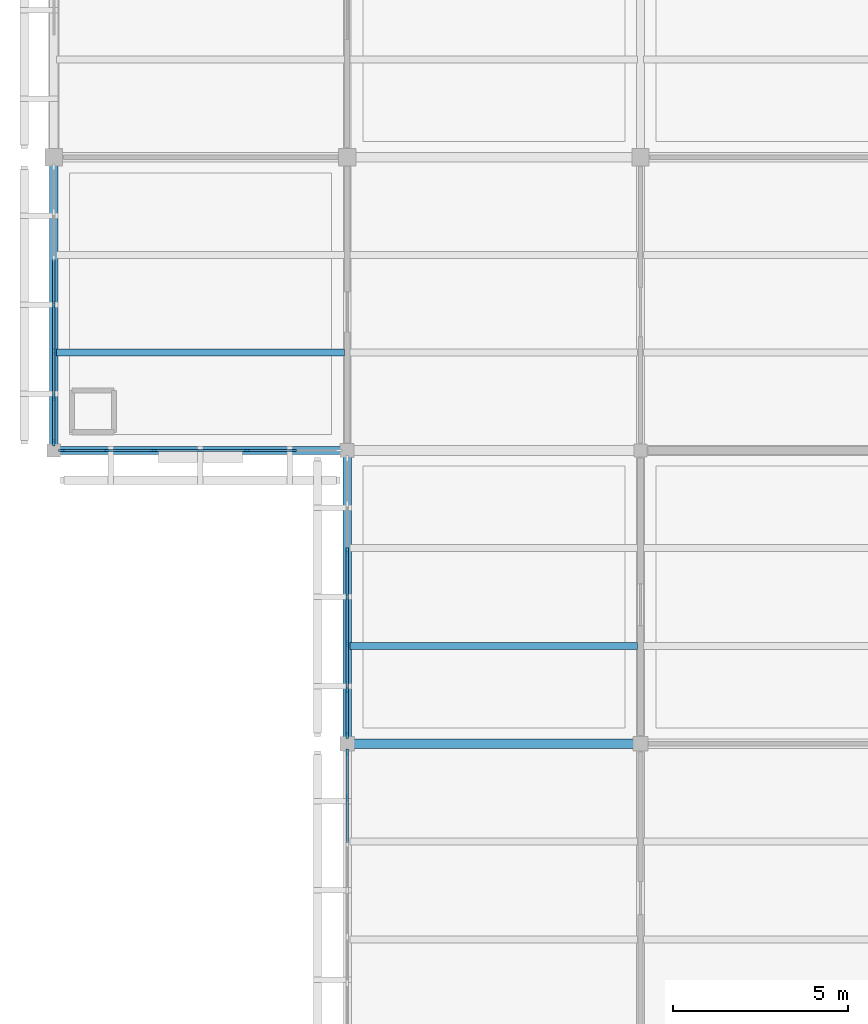
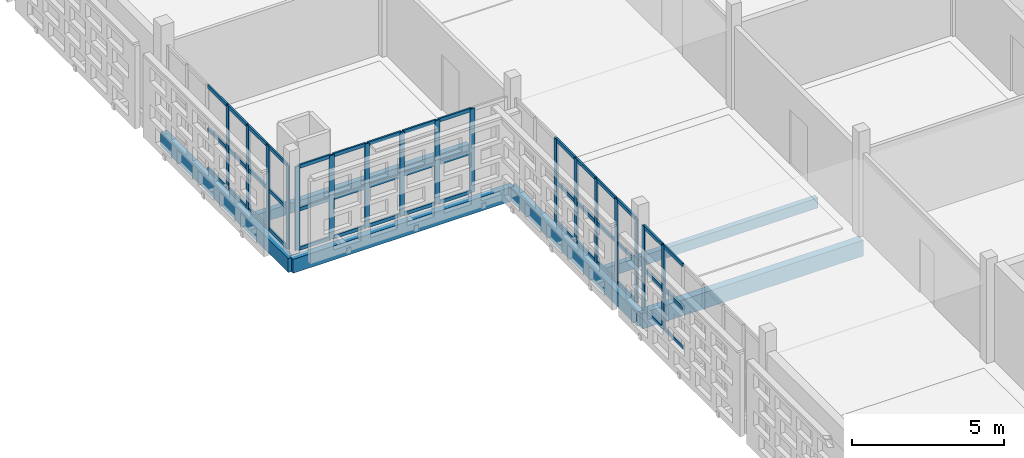
# One storey, part 23 of 166: 62 members, 6 beams, 4 elements without a shape of their own.
"""IFC4 building model written with IfcOpenShell, lengths in metres."""

from ifc_helpers import new_model, si_unit, direction, frame, origin, origin_2d, place, context, subcontext, project, spatial, rectangle, extrude, material, layer, layer_set, material_profile, profile_set, type_object, element, aggregate, save


model = new_model("IFC4")

# Units and contexts
model_context = context("Model", 3, precision=1e-05, world=origin(), true_north=direction((0.0, 1.0)))
body_context = subcontext(model_context, "Body", "Model", "MODEL_VIEW")
ifc_project = project(units=[si_unit("LENGTHUNIT", "METRE"), si_unit("AREAUNIT", "SQUARE_METRE"), si_unit("VOLUMEUNIT", "CUBIC_METRE"), si_unit("PLANEANGLEUNIT", "RADIAN"), si_unit("MASSUNIT", "GRAM", prefix="KILO")], contexts=[model_context])

# Site, building, storey
site_placement = place(None, origin())
site = spatial("IfcSite", under=ifc_project, at=site_placement, CompositionType="ELEMENT")
building_placement = place(site_placement, origin())
building = spatial("IfcBuilding", under=site, at=building_placement, Name="Varnapada Polytechnic", CompositionType="ELEMENT")
storey_placement = place(building_placement, frame((0.0, 0.0, 9.60009765625)))
storey = spatial("IfcBuildingStorey", under=building, at=storey_placement, Name="L02", CompositionType="ELEMENT", Elevation=9.60009765625)

# Beams
ifc_material_1 = material(Name="Glulam GL32h", Category="wood")
ifc_material_profile_1 = material_profile(ifc_material_1, rectangle(XDim=0.280029296875, YDim=0.639892578125, at=origin_2d()), Name="GL 280x640")
ifc_profile_set_1 = profile_set([ifc_material_profile_1], Name="Glulam GL32h")
beam_type_1 = type_object("IfcBeamType", Name="Laboratory primary glulam girder GG-02 (GL 280x640)", PredefinedType="BEAM", material=ifc_profile_set_1)
beam_placement = place(storey_placement, frame((8.39990234375, 33.60009765625, -0.56005859375), z_axis=(1.0, 0.0, 0.0), x_axis=(0.0, 1.0, 0.0)))
element("IfcBeam", 1, at=beam_placement, inside=storey, type_object=beam_type_1, Name="L02 beam X 2-3 at Y5", PredefinedType="BEAM", context=body_context, shape_type="SweptSolid", body=[
    extrude(rectangle(XDim=0.280029296875, YDim=0.639892578125, at=origin_2d()), origin(), (0.0, 0.0, 1.0), 8.400146484375),
])
ifc_material_profile_2 = material_profile(ifc_material_1, rectangle(XDim=0.199951171875, YDim=0.39990234375, at=origin_2d()), Name="GL 200x400")
ifc_profile_set_2 = profile_set([ifc_material_profile_2], Name="Glulam GL32h")
beam_type_2 = type_object("IfcBeamType", Name="Library/laboratory glulam floor joist GJ-01 (GL 200x400)", PredefinedType="JOIST", material=ifc_profile_set_2)
for number, where, z_axis, x_axis, name in (
    (2, (0.080078125, 44.800048828125, -0.440185546875), (1.0, 0.0, 0.0), (0.0, 1.0, 0.0), "L02 floor joist 1/6.1"),
    (3, (8.47998046875, 36.39990234375, -0.440185546875), (1.0, 0.0, 0.0), (0.0, 1.0, 0.0), "L02 floor joist 2/5.1"),
):
    element("IfcBeam", number, at=place(storey_placement, frame(where, z_axis=z_axis, x_axis=x_axis)), inside=storey, type_object=beam_type_2, Name=name, PredefinedType="JOIST", context=body_context, shape_type="SweptSolid", body=[
        extrude(rectangle(XDim=0.199951171875, YDim=0.39990234375, at=origin_2d()), origin(), (0.0, 0.0, 1.0), 8.239990234375),
    ])

# Curtain wall, members
ifc_material_2 = material(Name="Double low-E laminated glass", Category="glass")
ifc_layer = layer(ifc_material_2, 0.179931640625)
ifc_layer_set = layer_set([ifc_layer], Name="Double low-E laminated glass")
curtain_wall_type = type_object("IfcCurtainWallType", Name="Curtain Wall CW-03", PredefinedType="NOTDEFINED", material=ifc_layer_set)
curtain_wall_1_placement = place(storey_placement, origin())
curtain_wall_1 = element("IfcCurtainWall", 4, at=curtain_wall_1_placement, inside=storey, type_object=curtain_wall_type, Name="L02 unitised curtain wall CW-03 (128)", PredefinedType="NOTDEFINED")
ifc_material_3 = material(Name="Anodised aluminium", Category="aluminium")
ifc_material_profile_3 = material_profile(ifc_material_3, rectangle(XDim=0.06494140625, YDim=0.179931640625, at=origin_2d()), Name="ALU M65x180")
ifc_profile_set_3 = profile_set([ifc_material_profile_3], Name="Anodised aluminium")
member_type_1 = type_object("IfcMemberType", Name="Mullion M-02", PredefinedType="MULLION", material=ifc_profile_set_3)
member_1_placement = place(storey_placement, frame((6.864990234375, 42.0, 0.0), z_axis=(0.0, 0.0, 1.0), x_axis=(0.0, -1.0, 0.0)))
member_1 = element("IfcMember", 5, at=member_1_placement, type_object=member_type_1, Name="CW-03 mullion 2", PredefinedType="MULLION", context=body_context, shape_type="SweptSolid", body=[
    extrude(rectangle(XDim=0.06494140625, YDim=0.179931640625, at=origin_2d()), origin(), (0.0, 0.0, 1.0), 3.35986328125),
])
member_2_placement = place(storey_placement, frame((5.530029296875, 42.0, 0.0), z_axis=(0.0, 0.0, 1.0), x_axis=(0.0, -1.0, 0.0)))
member_2 = element("IfcMember", 6, at=member_2_placement, type_object=member_type_1, Name="CW-03 mullion 3", PredefinedType="MULLION", context=body_context, shape_type="SweptSolid", body=[
    extrude(rectangle(XDim=0.06494140625, YDim=0.179931640625, at=origin_2d()), origin(), (0.0, 0.0, 1.0), 3.35986328125),
])
member_3_placement = place(storey_placement, frame((4.195068359375, 42.0, 0.0), z_axis=(0.0, 0.0, 1.0), x_axis=(0.0, -1.0, 0.0)))
member_3 = element("IfcMember", 7, at=member_3_placement, type_object=member_type_1, Name="CW-03 mullion 4", PredefinedType="MULLION", context=body_context, shape_type="SweptSolid", body=[
    extrude(rectangle(XDim=0.06494140625, YDim=0.179931640625, at=origin_2d()), origin(), (0.0, 0.0, 1.0), 3.35986328125),
])
member_4_placement = place(storey_placement, frame((2.860107421875, 42.0, 0.0), z_axis=(0.0, 0.0, 1.0), x_axis=(0.0, -1.0, 0.0)))
member_4 = element("IfcMember", 8, at=member_4_placement, type_object=member_type_1, Name="CW-03 mullion 5", PredefinedType="MULLION", context=body_context, shape_type="SweptSolid", body=[
    extrude(rectangle(XDim=0.06494140625, YDim=0.179931640625, at=origin_2d()), origin(), (0.0, 0.0, 1.0), 3.35986328125),
])
member_5_placement = place(storey_placement, frame((1.52490234375, 42.0, 0.0), z_axis=(0.0, 0.0, 1.0), x_axis=(0.0, -1.0, 0.0)))
member_5 = element("IfcMember", 9, at=member_5_placement, type_object=member_type_1, Name="CW-03 mullion 6", PredefinedType="MULLION", context=body_context, shape_type="SweptSolid", body=[
    extrude(rectangle(XDim=0.06494140625, YDim=0.179931640625, at=origin_2d()), origin(), (0.0, 0.0, 1.0), 3.35986328125),
])
member_6_placement = place(storey_placement, frame((0.222412109375, 42.0, 0.0), z_axis=(0.0, 0.0, 1.0), x_axis=(0.0, -1.0, 0.0)))
member_6 = element("IfcMember", 10, at=member_6_placement, type_object=member_type_1, Name="CW-03 mullion 7", PredefinedType="MULLION", context=body_context, shape_type="SweptSolid", body=[
    extrude(rectangle(XDim=0.06494140625, YDim=0.179931640625, at=origin_2d()), origin(), (0.0, 0.0, 1.0), 3.35986328125),
])

curtain_wall_2_placement = place(storey_placement, origin())
curtain_wall_2 = element("IfcCurtainWall", 11, at=curtain_wall_2_placement, inside=storey, type_object=curtain_wall_type, Name="L02 unitised curtain wall CW-03 (129)", PredefinedType="NOTDEFINED")
member_7_placement = place(storey_placement, frame((0.0, 42.222412109375, 0.0), z_axis=(0.0, 0.0, 1.0), x_axis=(-1.0, 0.0, 0.0)))
member_7 = element("IfcMember", 12, at=member_7_placement, type_object=member_type_1, Name="CW-03 mullion 1", PredefinedType="MULLION", context=body_context, shape_type="SweptSolid", body=[
    extrude(rectangle(XDim=0.06494140625, YDim=0.179931640625, at=origin_2d()), origin(), (0.0, 0.0, 1.0), 3.35986328125),
])
member_8_placement = place(storey_placement, frame((0.0, 43.5166015625, 0.0), z_axis=(0.0, 0.0, 1.0), x_axis=(-1.0, 0.0, 0.0)))
member_8 = element("IfcMember", 13, at=member_8_placement, type_object=member_type_1, Name="CW-03 mullion 2", PredefinedType="MULLION", context=body_context, shape_type="SweptSolid", body=[
    extrude(rectangle(XDim=0.06494140625, YDim=0.179931640625, at=origin_2d()), origin(), (0.0, 0.0, 1.0), 3.35986328125),
])
member_9_placement = place(storey_placement, frame((0.0, 44.84326171875, 0.0), z_axis=(0.0, 0.0, 1.0), x_axis=(-1.0, 0.0, 0.0)))
member_9 = element("IfcMember", 14, at=member_9_placement, type_object=member_type_1, Name="CW-03 mullion 3", PredefinedType="MULLION", context=body_context, shape_type="SweptSolid", body=[
    extrude(rectangle(XDim=0.06494140625, YDim=0.179931640625, at=origin_2d()), origin(), (0.0, 0.0, 1.0), 3.35986328125),
])
member_10_placement = place(storey_placement, frame((0.0, 46.169921875, 0.0), z_axis=(0.0, 0.0, 1.0), x_axis=(-1.0, 0.0, 0.0)))
member_10 = element("IfcMember", 15, at=member_10_placement, type_object=member_type_1, Name="CW-03 mullion 4", PredefinedType="MULLION", context=body_context, shape_type="SweptSolid", body=[
    extrude(rectangle(XDim=0.06494140625, YDim=0.179931640625, at=origin_2d()), origin(), (0.0, 0.0, 1.0), 3.35986328125),
])

curtain_wall_3_placement = place(storey_placement, origin())
curtain_wall_3 = element("IfcCurtainWall", 16, at=curtain_wall_3_placement, inside=storey, type_object=curtain_wall_type, Name="L02 unitised curtain wall CW-03 (139)", PredefinedType="NOTDEFINED")
member_11_placement = place(storey_placement, frame((8.39990234375, 32.06005859375, 0.0), z_axis=(0.0, 0.0, 1.0), x_axis=(-1.0, 0.0, 0.0)))
member_11 = element("IfcMember", 17, at=member_11_placement, type_object=member_type_1, Name="CW-03 mullion 6", PredefinedType="MULLION", context=body_context, shape_type="SweptSolid", body=[
    extrude(rectangle(XDim=0.06494140625, YDim=0.179931640625, at=origin_2d()), origin(), (0.0, 0.0, 1.0), 3.35986328125),
])
member_12_placement = place(storey_placement, frame((8.39990234375, 33.357421875, 0.0), z_axis=(0.0, 0.0, 1.0), x_axis=(-1.0, 0.0, 0.0)))
member_12 = element("IfcMember", 18, at=member_12_placement, type_object=member_type_1, Name="CW-03 mullion 7", PredefinedType="MULLION", context=body_context, shape_type="SweptSolid", body=[
    extrude(rectangle(XDim=0.06494140625, YDim=0.179931640625, at=origin_2d()), origin(), (0.0, 0.0, 1.0), 3.35986328125),
])

curtain_wall_4_placement = place(storey_placement, origin())
curtain_wall_4 = element("IfcCurtainWall", 19, at=curtain_wall_4_placement, inside=storey, type_object=curtain_wall_type, Name="L02 unitised curtain wall CW-03 (140)", PredefinedType="NOTDEFINED")
member_13_placement = place(storey_placement, frame((8.39990234375, 33.842529296875, 0.0), z_axis=(0.0, 0.0, 1.0), x_axis=(-1.0, 0.0, 0.0)))
member_13 = element("IfcMember", 20, at=member_13_placement, type_object=member_type_1, Name="CW-03 mullion 1", PredefinedType="MULLION", context=body_context, shape_type="SweptSolid", body=[
    extrude(rectangle(XDim=0.06494140625, YDim=0.179931640625, at=origin_2d()), origin(), (0.0, 0.0, 1.0), 3.35986328125),
])
member_14_placement = place(storey_placement, frame((8.39990234375, 35.1416015625, 0.0), z_axis=(0.0, 0.0, 1.0), x_axis=(-1.0, 0.0, 0.0)))
member_14 = element("IfcMember", 21, at=member_14_placement, type_object=member_type_1, Name="CW-03 mullion 2", PredefinedType="MULLION", context=body_context, shape_type="SweptSolid", body=[
    extrude(rectangle(XDim=0.06494140625, YDim=0.179931640625, at=origin_2d()), origin(), (0.0, 0.0, 1.0), 3.35986328125),
])
member_15_placement = place(storey_placement, frame((8.39990234375, 36.473388671875, 0.0), z_axis=(0.0, 0.0, 1.0), x_axis=(-1.0, 0.0, 0.0)))
member_15 = element("IfcMember", 22, at=member_15_placement, type_object=member_type_1, Name="CW-03 mullion 3", PredefinedType="MULLION", context=body_context, shape_type="SweptSolid", body=[
    extrude(rectangle(XDim=0.06494140625, YDim=0.179931640625, at=origin_2d()), origin(), (0.0, 0.0, 1.0), 3.35986328125),
])
member_16_placement = place(storey_placement, frame((8.39990234375, 37.804931640625, 0.0), z_axis=(0.0, 0.0, 1.0), x_axis=(-1.0, 0.0, 0.0)))
member_16 = element("IfcMember", 23, at=member_16_placement, type_object=member_type_1, Name="CW-03 mullion 4", PredefinedType="MULLION", context=body_context, shape_type="SweptSolid", body=[
    extrude(rectangle(XDim=0.06494140625, YDim=0.179931640625, at=origin_2d()), origin(), (0.0, 0.0, 1.0), 3.35986328125),
])
member_17_placement = place(storey_placement, frame((8.39990234375, 39.13671875, 0.0), z_axis=(0.0, 0.0, 1.0), x_axis=(-1.0, 0.0, 0.0)))
member_17 = element("IfcMember", 24, at=member_17_placement, type_object=member_type_1, Name="CW-03 mullion 5", PredefinedType="MULLION", context=body_context, shape_type="SweptSolid", body=[
    extrude(rectangle(XDim=0.06494140625, YDim=0.179931640625, at=origin_2d()), origin(), (0.0, 0.0, 1.0), 3.35986328125),
])

# Beams
ifc_material_profile_4 = material_profile(ifc_material_1, rectangle(XDim=0.239990234375, YDim=0.56005859375, at=origin_2d()), Name="GL 240x560")
ifc_profile_set_4 = profile_set([ifc_material_profile_4], Name="Glulam GL32h")
beam_type_3 = type_object("IfcBeamType", Name="Perimeter glulam spandrel beam SP-02 (GL 240x560)", PredefinedType="SPANDREL", material=ifc_profile_set_4)
for number, where, z_axis, x_axis, name in (
    (25, (0.0, 42.0, -0.52001953125), (1.0, 0.0, 0.0), (0.0, 1.0, 0.0), "L02 beam X 1-2 at Y6"),
    (26, (0.0, 42.0, -0.52001953125), (0.0, 1.0, 0.0), (-1.0, 0.0, 0.0), "L02 beam Y 6-7 at X1"),
    (27, (8.39990234375, 33.60009765625, -0.52001953125), (0.0, 1.0, 0.0), (-1.0, 0.0, 0.0), "L02 beam Y 5-6 at X2"),
):
    element("IfcBeam", number, at=place(storey_placement, frame(where, z_axis=z_axis, x_axis=x_axis)), inside=storey, type_object=beam_type_3, Name=name, PredefinedType="SPANDREL", context=body_context, shape_type="SweptSolid", body=[
        extrude(rectangle(XDim=0.239990234375, YDim=0.56005859375, at=origin_2d()), origin(), (0.0, 0.0, 1.0), 8.39990234375),
    ])

# Member
ifc_material_profile_5 = material_profile(ifc_material_3, rectangle(XDim=0.06494140625, YDim=0.139892578125, at=origin_2d()), Name="ALU T65x140")
ifc_profile_set_5 = profile_set([ifc_material_profile_5], Name="Anodised aluminium")
member_type_2 = type_object("IfcMemberType", Name="Transom T-02", PredefinedType="USERDEFINED", material=ifc_profile_set_5)
member_18_placement = place(storey_placement, frame((6.83251953125, 42.0, 0.032470703125), z_axis=(-1.0, 0.0, 0.0), x_axis=(0.0, -1.0, 0.0)))
member_18 = element("IfcMember", 28, at=member_18_placement, type_object=member_type_2, Name="CW-03 transom 2.1", ObjectType="TRANSOM", PredefinedType="USERDEFINED", context=body_context, shape_type="SweptSolid", body=[
    extrude(rectangle(XDim=0.06494140625, YDim=0.139892578125, at=origin_2d()), origin(), (0.0, 0.0, 1.0), 1.27001953125),
])

member_19_placement = place(storey_placement, frame((6.83251953125, 42.0, 1.61279296875), z_axis=(-1.0, 0.0, 0.0), x_axis=(0.0, -1.0, 0.0)))
member_19 = element("IfcMember", 29, at=member_19_placement, type_object=member_type_2, Name="CW-03 transom 2.2", ObjectType="TRANSOM", PredefinedType="USERDEFINED", context=body_context, shape_type="SweptSolid", body=[
    extrude(rectangle(XDim=0.06494140625, YDim=0.139892578125, at=origin_2d()), origin(), (0.0, 0.0, 1.0), 1.27001953125),
])

member_20_placement = place(storey_placement, frame((6.83251953125, 42.0, 3.327392578125), z_axis=(-1.0, 0.0, 0.0), x_axis=(0.0, -1.0, 0.0)))
member_20 = element("IfcMember", 30, at=member_20_placement, type_object=member_type_2, Name="CW-03 transom 2.3", ObjectType="TRANSOM", PredefinedType="USERDEFINED", context=body_context, shape_type="SweptSolid", body=[
    extrude(rectangle(XDim=0.06494140625, YDim=0.139892578125, at=origin_2d()), origin(), (0.0, 0.0, 1.0), 1.27001953125),
])

member_21_placement = place(storey_placement, frame((5.49755859375, 42.0, 0.032470703125), z_axis=(-1.0, 0.0, 0.0), x_axis=(0.0, -1.0, 0.0)))
member_21 = element("IfcMember", 31, at=member_21_placement, type_object=member_type_2, Name="CW-03 transom 3.1", ObjectType="TRANSOM", PredefinedType="USERDEFINED", context=body_context, shape_type="SweptSolid", body=[
    extrude(rectangle(XDim=0.06494140625, YDim=0.139892578125, at=origin_2d()), origin(), (0.0, 0.0, 1.0), 1.27001953125),
])

member_22_placement = place(storey_placement, frame((5.49755859375, 42.0, 1.61279296875), z_axis=(-1.0, 0.0, 0.0), x_axis=(0.0, -1.0, 0.0)))
member_22 = element("IfcMember", 32, at=member_22_placement, type_object=member_type_2, Name="CW-03 transom 3.2", ObjectType="TRANSOM", PredefinedType="USERDEFINED", context=body_context, shape_type="SweptSolid", body=[
    extrude(rectangle(XDim=0.06494140625, YDim=0.139892578125, at=origin_2d()), origin(), (0.0, 0.0, 1.0), 1.27001953125),
])

member_23_placement = place(storey_placement, frame((5.49755859375, 42.0, 3.327392578125), z_axis=(-1.0, 0.0, 0.0), x_axis=(0.0, -1.0, 0.0)))
member_23 = element("IfcMember", 33, at=member_23_placement, type_object=member_type_2, Name="CW-03 transom 3.3", ObjectType="TRANSOM", PredefinedType="USERDEFINED", context=body_context, shape_type="SweptSolid", body=[
    extrude(rectangle(XDim=0.06494140625, YDim=0.139892578125, at=origin_2d()), origin(), (0.0, 0.0, 1.0), 1.27001953125),
])

member_24_placement = place(storey_placement, frame((4.16259765625, 42.0, 0.032470703125), z_axis=(-1.0, 0.0, 0.0), x_axis=(0.0, -1.0, 0.0)))
member_24 = element("IfcMember", 34, at=member_24_placement, type_object=member_type_2, Name="CW-03 transom 4.1", ObjectType="TRANSOM", PredefinedType="USERDEFINED", context=body_context, shape_type="SweptSolid", body=[
    extrude(rectangle(XDim=0.06494140625, YDim=0.139892578125, at=origin_2d()), origin(), (0.0, 0.0, 1.0), 1.27001953125),
])

member_25_placement = place(storey_placement, frame((4.16259765625, 42.0, 1.61279296875), z_axis=(-1.0, 0.0, 0.0), x_axis=(0.0, -1.0, 0.0)))
member_25 = element("IfcMember", 35, at=member_25_placement, type_object=member_type_2, Name="CW-03 transom 4.2", ObjectType="TRANSOM", PredefinedType="USERDEFINED", context=body_context, shape_type="SweptSolid", body=[
    extrude(rectangle(XDim=0.06494140625, YDim=0.139892578125, at=origin_2d()), origin(), (0.0, 0.0, 1.0), 1.27001953125),
])

member_26_placement = place(storey_placement, frame((4.16259765625, 42.0, 3.327392578125), z_axis=(-1.0, 0.0, 0.0), x_axis=(0.0, -1.0, 0.0)))
member_26 = element("IfcMember", 36, at=member_26_placement, type_object=member_type_2, Name="CW-03 transom 4.3", ObjectType="TRANSOM", PredefinedType="USERDEFINED", context=body_context, shape_type="SweptSolid", body=[
    extrude(rectangle(XDim=0.06494140625, YDim=0.139892578125, at=origin_2d()), origin(), (0.0, 0.0, 1.0), 1.27001953125),
])

member_27_placement = place(storey_placement, frame((2.827392578125, 42.0, 0.032470703125), z_axis=(-1.0, 0.0, 0.0), x_axis=(0.0, -1.0, 0.0)))
member_27 = element("IfcMember", 37, at=member_27_placement, type_object=member_type_2, Name="CW-03 transom 5.1", ObjectType="TRANSOM", PredefinedType="USERDEFINED", context=body_context, shape_type="SweptSolid", body=[
    extrude(rectangle(XDim=0.06494140625, YDim=0.139892578125, at=origin_2d()), origin(), (0.0, 0.0, 1.0), 1.269775390625),
])

member_28_placement = place(storey_placement, frame((2.827392578125, 42.0, 1.61279296875), z_axis=(-1.0, 0.0, 0.0), x_axis=(0.0, -1.0, 0.0)))
member_28 = element("IfcMember", 38, at=member_28_placement, type_object=member_type_2, Name="CW-03 transom 5.2", ObjectType="TRANSOM", PredefinedType="USERDEFINED", context=body_context, shape_type="SweptSolid", body=[
    extrude(rectangle(XDim=0.06494140625, YDim=0.139892578125, at=origin_2d()), origin(), (0.0, 0.0, 1.0), 1.269775390625),
])

member_29_placement = place(storey_placement, frame((2.827392578125, 42.0, 3.327392578125), z_axis=(-1.0, 0.0, 0.0), x_axis=(0.0, -1.0, 0.0)))
member_29 = element("IfcMember", 39, at=member_29_placement, type_object=member_type_2, Name="CW-03 transom 5.3", ObjectType="TRANSOM", PredefinedType="USERDEFINED", context=body_context, shape_type="SweptSolid", body=[
    extrude(rectangle(XDim=0.06494140625, YDim=0.139892578125, at=origin_2d()), origin(), (0.0, 0.0, 1.0), 1.269775390625),
])

member_30_placement = place(storey_placement, frame((1.492431640625, 42.0, 0.032470703125), z_axis=(-1.0, 0.0, 0.0), x_axis=(0.0, -1.0, 0.0)))
member_30 = element("IfcMember", 40, at=member_30_placement, type_object=member_type_2, Name="CW-03 transom 6.1", ObjectType="TRANSOM", PredefinedType="USERDEFINED", context=body_context, shape_type="SweptSolid", body=[
    extrude(rectangle(XDim=0.06494140625, YDim=0.139892578125, at=origin_2d()), origin(), (0.0, 0.0, 1.0), 1.237548828125),
])

member_31_placement = place(storey_placement, frame((1.492431640625, 42.0, 1.61279296875), z_axis=(-1.0, 0.0, 0.0), x_axis=(0.0, -1.0, 0.0)))
member_31 = element("IfcMember", 41, at=member_31_placement, type_object=member_type_2, Name="CW-03 transom 6.2", ObjectType="TRANSOM", PredefinedType="USERDEFINED", context=body_context, shape_type="SweptSolid", body=[
    extrude(rectangle(XDim=0.06494140625, YDim=0.139892578125, at=origin_2d()), origin(), (0.0, 0.0, 1.0), 1.237548828125),
])

member_32_placement = place(storey_placement, frame((1.492431640625, 42.0, 3.327392578125), z_axis=(-1.0, 0.0, 0.0), x_axis=(0.0, -1.0, 0.0)))
member_32 = element("IfcMember", 42, at=member_32_placement, type_object=member_type_2, Name="CW-03 transom 6.3", ObjectType="TRANSOM", PredefinedType="USERDEFINED", context=body_context, shape_type="SweptSolid", body=[
    extrude(rectangle(XDim=0.06494140625, YDim=0.139892578125, at=origin_2d()), origin(), (0.0, 0.0, 1.0), 1.237548828125),
])

aggregate(curtain_wall_1, [member_1, member_2, member_3, member_4, member_5, member_6, member_18, member_19, member_20, member_21, member_22, member_23, member_24, member_25, member_26, member_27, member_28, member_29, member_30, member_31, member_32])

member_33_placement = place(storey_placement, frame((0.0, 42.2548828125, 0.032470703125), z_axis=(0.0, 1.0, 0.0), x_axis=(-1.0, 0.0, 0.0)))
member_33 = element("IfcMember", 43, at=member_33_placement, type_object=member_type_2, Name="CW-03 transom 1.1", ObjectType="TRANSOM", PredefinedType="USERDEFINED", context=body_context, shape_type="SweptSolid", body=[
    extrude(rectangle(XDim=0.06494140625, YDim=0.139892578125, at=origin_2d()), origin(), (0.0, 0.0, 1.0), 1.229248046875),
])

member_34_placement = place(storey_placement, frame((0.0, 42.2548828125, 1.61279296875), z_axis=(0.0, 1.0, 0.0), x_axis=(-1.0, 0.0, 0.0)))
member_34 = element("IfcMember", 44, at=member_34_placement, type_object=member_type_2, Name="CW-03 transom 1.2", ObjectType="TRANSOM", PredefinedType="USERDEFINED", context=body_context, shape_type="SweptSolid", body=[
    extrude(rectangle(XDim=0.06494140625, YDim=0.139892578125, at=origin_2d()), origin(), (0.0, 0.0, 1.0), 1.229248046875),
])

member_35_placement = place(storey_placement, frame((0.0, 42.2548828125, 3.327392578125), z_axis=(0.0, 1.0, 0.0), x_axis=(-1.0, 0.0, 0.0)))
member_35 = element("IfcMember", 45, at=member_35_placement, type_object=member_type_2, Name="CW-03 transom 1.3", ObjectType="TRANSOM", PredefinedType="USERDEFINED", context=body_context, shape_type="SweptSolid", body=[
    extrude(rectangle(XDim=0.06494140625, YDim=0.139892578125, at=origin_2d()), origin(), (0.0, 0.0, 1.0), 1.229248046875),
])

member_36_placement = place(storey_placement, frame((0.0, 43.549072265625, 0.032470703125), z_axis=(0.0, 1.0, 0.0), x_axis=(-1.0, 0.0, 0.0)))
member_36 = element("IfcMember", 46, at=member_36_placement, type_object=member_type_2, Name="CW-03 transom 2.1", ObjectType="TRANSOM", PredefinedType="USERDEFINED", context=body_context, shape_type="SweptSolid", body=[
    extrude(rectangle(XDim=0.06494140625, YDim=0.139892578125, at=origin_2d()), origin(), (0.0, 0.0, 1.0), 1.26171875),
])

member_37_placement = place(storey_placement, frame((0.0, 43.549072265625, 1.61279296875), z_axis=(0.0, 1.0, 0.0), x_axis=(-1.0, 0.0, 0.0)))
member_37 = element("IfcMember", 47, at=member_37_placement, type_object=member_type_2, Name="CW-03 transom 2.2", ObjectType="TRANSOM", PredefinedType="USERDEFINED", context=body_context, shape_type="SweptSolid", body=[
    extrude(rectangle(XDim=0.06494140625, YDim=0.139892578125, at=origin_2d()), origin(), (0.0, 0.0, 1.0), 1.26171875),
])

member_38_placement = place(storey_placement, frame((0.0, 43.549072265625, 3.327392578125), z_axis=(0.0, 1.0, 0.0), x_axis=(-1.0, 0.0, 0.0)))
member_38 = element("IfcMember", 48, at=member_38_placement, type_object=member_type_2, Name="CW-03 transom 2.3", ObjectType="TRANSOM", PredefinedType="USERDEFINED", context=body_context, shape_type="SweptSolid", body=[
    extrude(rectangle(XDim=0.06494140625, YDim=0.139892578125, at=origin_2d()), origin(), (0.0, 0.0, 1.0), 1.26171875),
])

member_39_placement = place(storey_placement, frame((0.0, 44.875732421875, 0.032470703125), z_axis=(0.0, 1.0, 0.0), x_axis=(-1.0, 0.0, 0.0)))
member_39 = element("IfcMember", 49, at=member_39_placement, type_object=member_type_2, Name="CW-03 transom 3.1", ObjectType="TRANSOM", PredefinedType="USERDEFINED", context=body_context, shape_type="SweptSolid", body=[
    extrude(rectangle(XDim=0.06494140625, YDim=0.139892578125, at=origin_2d()), origin(), (0.0, 0.0, 1.0), 1.26171875),
])

member_40_placement = place(storey_placement, frame((0.0, 44.875732421875, 1.61279296875), z_axis=(0.0, 1.0, 0.0), x_axis=(-1.0, 0.0, 0.0)))
member_40 = element("IfcMember", 50, at=member_40_placement, type_object=member_type_2, Name="CW-03 transom 3.2", ObjectType="TRANSOM", PredefinedType="USERDEFINED", context=body_context, shape_type="SweptSolid", body=[
    extrude(rectangle(XDim=0.06494140625, YDim=0.139892578125, at=origin_2d()), origin(), (0.0, 0.0, 1.0), 1.26171875),
])

member_41_placement = place(storey_placement, frame((0.0, 44.875732421875, 3.327392578125), z_axis=(0.0, 1.0, 0.0), x_axis=(-1.0, 0.0, 0.0)))
member_41 = element("IfcMember", 51, at=member_41_placement, type_object=member_type_2, Name="CW-03 transom 3.3", ObjectType="TRANSOM", PredefinedType="USERDEFINED", context=body_context, shape_type="SweptSolid", body=[
    extrude(rectangle(XDim=0.06494140625, YDim=0.139892578125, at=origin_2d()), origin(), (0.0, 0.0, 1.0), 1.26171875),
])

member_42_placement = place(storey_placement, frame((0.0, 46.202392578125, 0.032470703125), z_axis=(0.0, 1.0, 0.0), x_axis=(-1.0, 0.0, 0.0)))
member_42 = element("IfcMember", 52, at=member_42_placement, type_object=member_type_2, Name="CW-03 transom 4.1", ObjectType="TRANSOM", PredefinedType="USERDEFINED", context=body_context, shape_type="SweptSolid", body=[
    extrude(rectangle(XDim=0.06494140625, YDim=0.139892578125, at=origin_2d()), origin(), (0.0, 0.0, 1.0), 1.26171875),
])

member_43_placement = place(storey_placement, frame((0.0, 46.202392578125, 1.61279296875), z_axis=(0.0, 1.0, 0.0), x_axis=(-1.0, 0.0, 0.0)))
member_43 = element("IfcMember", 53, at=member_43_placement, type_object=member_type_2, Name="CW-03 transom 4.2", ObjectType="TRANSOM", PredefinedType="USERDEFINED", context=body_context, shape_type="SweptSolid", body=[
    extrude(rectangle(XDim=0.06494140625, YDim=0.139892578125, at=origin_2d()), origin(), (0.0, 0.0, 1.0), 1.26171875),
])

member_44_placement = place(storey_placement, frame((0.0, 46.202392578125, 3.327392578125), z_axis=(0.0, 1.0, 0.0), x_axis=(-1.0, 0.0, 0.0)))
member_44 = element("IfcMember", 54, at=member_44_placement, type_object=member_type_2, Name="CW-03 transom 4.3", ObjectType="TRANSOM", PredefinedType="USERDEFINED", context=body_context, shape_type="SweptSolid", body=[
    extrude(rectangle(XDim=0.06494140625, YDim=0.139892578125, at=origin_2d()), origin(), (0.0, 0.0, 1.0), 1.26171875),
])

aggregate(curtain_wall_2, [member_7, member_8, member_9, member_10, member_33, member_34, member_35, member_36, member_37, member_38, member_39, member_40, member_41, member_42, member_43, member_44])

member_45_placement = place(storey_placement, frame((8.39990234375, 30.762451171875, 0.032470703125), z_axis=(0.0, 1.0, 0.0), x_axis=(-1.0, 0.0, 0.0)))
member_45 = element("IfcMember", 55, at=member_45_placement, type_object=member_type_2, Name="CW-03 transom 5.1", ObjectType="TRANSOM", PredefinedType="USERDEFINED", context=body_context, shape_type="SweptSolid", body=[
    extrude(rectangle(XDim=0.06494140625, YDim=0.139892578125, at=origin_2d()), origin(), (0.0, 0.0, 1.0), 1.26513671875),
])

member_46_placement = place(storey_placement, frame((8.39990234375, 30.762451171875, 1.61279296875), z_axis=(0.0, 1.0, 0.0), x_axis=(-1.0, 0.0, 0.0)))
member_46 = element("IfcMember", 56, at=member_46_placement, type_object=member_type_2, Name="CW-03 transom 5.2", ObjectType="TRANSOM", PredefinedType="USERDEFINED", context=body_context, shape_type="SweptSolid", body=[
    extrude(rectangle(XDim=0.06494140625, YDim=0.139892578125, at=origin_2d()), origin(), (0.0, 0.0, 1.0), 1.26513671875),
])

member_47_placement = place(storey_placement, frame((8.39990234375, 30.762451171875, 3.327392578125), z_axis=(0.0, 1.0, 0.0), x_axis=(-1.0, 0.0, 0.0)))
member_47 = element("IfcMember", 57, at=member_47_placement, type_object=member_type_2, Name="CW-03 transom 5.3", ObjectType="TRANSOM", PredefinedType="USERDEFINED", context=body_context, shape_type="SweptSolid", body=[
    extrude(rectangle(XDim=0.06494140625, YDim=0.139892578125, at=origin_2d()), origin(), (0.0, 0.0, 1.0), 1.26513671875),
])

member_48_placement = place(storey_placement, frame((8.39990234375, 32.092529296875, 0.032470703125), z_axis=(0.0, 1.0, 0.0), x_axis=(-1.0, 0.0, 0.0)))
member_48 = element("IfcMember", 58, at=member_48_placement, type_object=member_type_2, Name="CW-03 transom 6.1", ObjectType="TRANSOM", PredefinedType="USERDEFINED", context=body_context, shape_type="SweptSolid", body=[
    extrude(rectangle(XDim=0.06494140625, YDim=0.139892578125, at=origin_2d()), origin(), (0.0, 0.0, 1.0), 1.232421875),
])

member_49_placement = place(storey_placement, frame((8.39990234375, 32.092529296875, 1.61279296875), z_axis=(0.0, 1.0, 0.0), x_axis=(-1.0, 0.0, 0.0)))
member_49 = element("IfcMember", 59, at=member_49_placement, type_object=member_type_2, Name="CW-03 transom 6.2", ObjectType="TRANSOM", PredefinedType="USERDEFINED", context=body_context, shape_type="SweptSolid", body=[
    extrude(rectangle(XDim=0.06494140625, YDim=0.139892578125, at=origin_2d()), origin(), (0.0, 0.0, 1.0), 1.232421875),
])

member_50_placement = place(storey_placement, frame((8.39990234375, 32.092529296875, 3.327392578125), z_axis=(0.0, 1.0, 0.0), x_axis=(-1.0, 0.0, 0.0)))
member_50 = element("IfcMember", 60, at=member_50_placement, type_object=member_type_2, Name="CW-03 transom 6.3", ObjectType="TRANSOM", PredefinedType="USERDEFINED", context=body_context, shape_type="SweptSolid", body=[
    extrude(rectangle(XDim=0.06494140625, YDim=0.139892578125, at=origin_2d()), origin(), (0.0, 0.0, 1.0), 1.232421875),
])

aggregate(curtain_wall_3, [member_11, member_12, member_45, member_46, member_47, member_48, member_49, member_50])

member_51_placement = place(storey_placement, frame((8.39990234375, 33.875, 0.032470703125), z_axis=(0.0, 1.0, 0.0), x_axis=(-1.0, 0.0, 0.0)))
member_51 = element("IfcMember", 61, at=member_51_placement, type_object=member_type_2, Name="CW-03 transom 1.1", ObjectType="TRANSOM", PredefinedType="USERDEFINED", context=body_context, shape_type="SweptSolid", body=[
    extrude(rectangle(XDim=0.06494140625, YDim=0.139892578125, at=origin_2d()), origin(), (0.0, 0.0, 1.0), 1.234130859375),
])

member_52_placement = place(storey_placement, frame((8.39990234375, 33.875, 1.61279296875), z_axis=(0.0, 1.0, 0.0), x_axis=(-1.0, 0.0, 0.0)))
member_52 = element("IfcMember", 62, at=member_52_placement, type_object=member_type_2, Name="CW-03 transom 1.2", ObjectType="TRANSOM", PredefinedType="USERDEFINED", context=body_context, shape_type="SweptSolid", body=[
    extrude(rectangle(XDim=0.06494140625, YDim=0.139892578125, at=origin_2d()), origin(), (0.0, 0.0, 1.0), 1.234130859375),
])

member_53_placement = place(storey_placement, frame((8.39990234375, 33.875, 3.327392578125), z_axis=(0.0, 1.0, 0.0), x_axis=(-1.0, 0.0, 0.0)))
member_53 = element("IfcMember", 63, at=member_53_placement, type_object=member_type_2, Name="CW-03 transom 1.3", ObjectType="TRANSOM", PredefinedType="USERDEFINED", context=body_context, shape_type="SweptSolid", body=[
    extrude(rectangle(XDim=0.06494140625, YDim=0.139892578125, at=origin_2d()), origin(), (0.0, 0.0, 1.0), 1.234130859375),
])

member_54_placement = place(storey_placement, frame((8.39990234375, 35.174072265625, 0.032470703125), z_axis=(0.0, 1.0, 0.0), x_axis=(-1.0, 0.0, 0.0)))
member_54 = element("IfcMember", 64, at=member_54_placement, type_object=member_type_2, Name="CW-03 transom 2.1", ObjectType="TRANSOM", PredefinedType="USERDEFINED", context=body_context, shape_type="SweptSolid", body=[
    extrude(rectangle(XDim=0.06494140625, YDim=0.139892578125, at=origin_2d()), origin(), (0.0, 0.0, 1.0), 1.266845703125),
])

member_55_placement = place(storey_placement, frame((8.39990234375, 35.174072265625, 1.61279296875), z_axis=(0.0, 1.0, 0.0), x_axis=(-1.0, 0.0, 0.0)))
member_55 = element("IfcMember", 65, at=member_55_placement, type_object=member_type_2, Name="CW-03 transom 2.2", ObjectType="TRANSOM", PredefinedType="USERDEFINED", context=body_context, shape_type="SweptSolid", body=[
    extrude(rectangle(XDim=0.06494140625, YDim=0.139892578125, at=origin_2d()), origin(), (0.0, 0.0, 1.0), 1.266845703125),
])

member_56_placement = place(storey_placement, frame((8.39990234375, 35.174072265625, 3.327392578125), z_axis=(0.0, 1.0, 0.0), x_axis=(-1.0, 0.0, 0.0)))
member_56 = element("IfcMember", 66, at=member_56_placement, type_object=member_type_2, Name="CW-03 transom 2.3", ObjectType="TRANSOM", PredefinedType="USERDEFINED", context=body_context, shape_type="SweptSolid", body=[
    extrude(rectangle(XDim=0.06494140625, YDim=0.139892578125, at=origin_2d()), origin(), (0.0, 0.0, 1.0), 1.266845703125),
])

member_57_placement = place(storey_placement, frame((8.39990234375, 36.505859375, 0.032470703125), z_axis=(0.0, 1.0, 0.0), x_axis=(-1.0, 0.0, 0.0)))
member_57 = element("IfcMember", 67, at=member_57_placement, type_object=member_type_2, Name="CW-03 transom 3.1", ObjectType="TRANSOM", PredefinedType="USERDEFINED", context=body_context, shape_type="SweptSolid", body=[
    extrude(rectangle(XDim=0.06494140625, YDim=0.139892578125, at=origin_2d()), origin(), (0.0, 0.0, 1.0), 1.2666015625),
])

member_58_placement = place(storey_placement, frame((8.39990234375, 36.505859375, 1.61279296875), z_axis=(0.0, 1.0, 0.0), x_axis=(-1.0, 0.0, 0.0)))
member_58 = element("IfcMember", 68, at=member_58_placement, type_object=member_type_2, Name="CW-03 transom 3.2", ObjectType="TRANSOM", PredefinedType="USERDEFINED", context=body_context, shape_type="SweptSolid", body=[
    extrude(rectangle(XDim=0.06494140625, YDim=0.139892578125, at=origin_2d()), origin(), (0.0, 0.0, 1.0), 1.2666015625),
])

member_59_placement = place(storey_placement, frame((8.39990234375, 36.505859375, 3.327392578125), z_axis=(0.0, 1.0, 0.0), x_axis=(-1.0, 0.0, 0.0)))
member_59 = element("IfcMember", 69, at=member_59_placement, type_object=member_type_2, Name="CW-03 transom 3.3", ObjectType="TRANSOM", PredefinedType="USERDEFINED", context=body_context, shape_type="SweptSolid", body=[
    extrude(rectangle(XDim=0.06494140625, YDim=0.139892578125, at=origin_2d()), origin(), (0.0, 0.0, 1.0), 1.2666015625),
])

member_60_placement = place(storey_placement, frame((8.39990234375, 37.83740234375, 0.032470703125), z_axis=(0.0, 1.0, 0.0), x_axis=(-1.0, 0.0, 0.0)))
member_60 = element("IfcMember", 70, at=member_60_placement, type_object=member_type_2, Name="CW-03 transom 4.1", ObjectType="TRANSOM", PredefinedType="USERDEFINED", context=body_context, shape_type="SweptSolid", body=[
    extrude(rectangle(XDim=0.06494140625, YDim=0.139892578125, at=origin_2d()), origin(), (0.0, 0.0, 1.0), 1.266845703125),
])

member_61_placement = place(storey_placement, frame((8.39990234375, 37.83740234375, 1.61279296875), z_axis=(0.0, 1.0, 0.0), x_axis=(-1.0, 0.0, 0.0)))
member_61 = element("IfcMember", 71, at=member_61_placement, type_object=member_type_2, Name="CW-03 transom 4.2", ObjectType="TRANSOM", PredefinedType="USERDEFINED", context=body_context, shape_type="SweptSolid", body=[
    extrude(rectangle(XDim=0.06494140625, YDim=0.139892578125, at=origin_2d()), origin(), (0.0, 0.0, 1.0), 1.266845703125),
])

member_62_placement = place(storey_placement, frame((8.39990234375, 37.83740234375, 3.327392578125), z_axis=(0.0, 1.0, 0.0), x_axis=(-1.0, 0.0, 0.0)))
member_62 = element("IfcMember", 72, at=member_62_placement, type_object=member_type_2, Name="CW-03 transom 4.3", ObjectType="TRANSOM", PredefinedType="USERDEFINED", context=body_context, shape_type="SweptSolid", body=[
    extrude(rectangle(XDim=0.06494140625, YDim=0.139892578125, at=origin_2d()), origin(), (0.0, 0.0, 1.0), 1.266845703125),
])

aggregate(curtain_wall_4, [member_13, member_14, member_15, member_16, member_17, member_51, member_52, member_53, member_54, member_55, member_56, member_57, member_58, member_59, member_60, member_61, member_62])

save(model, "model.ifc")
